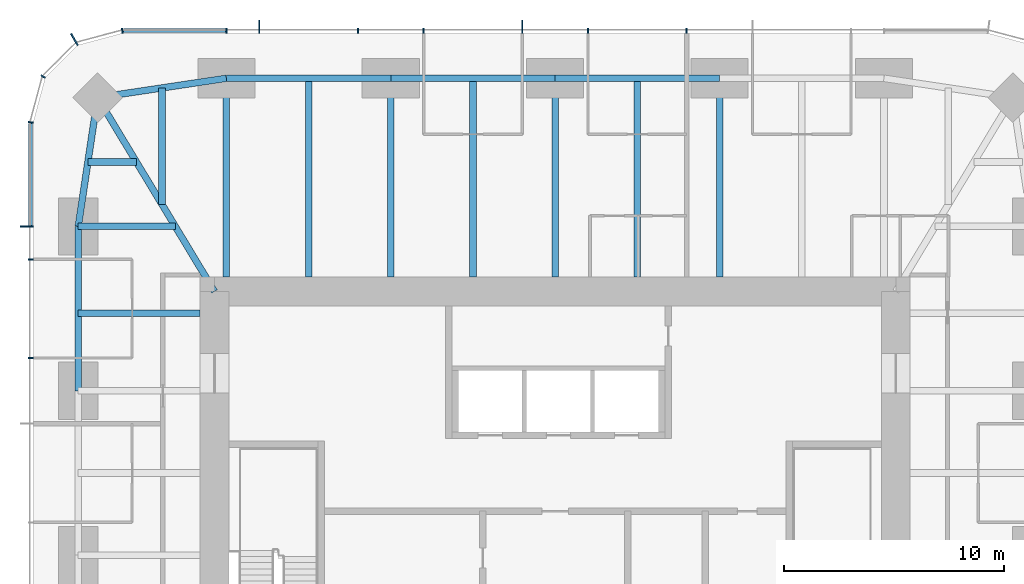
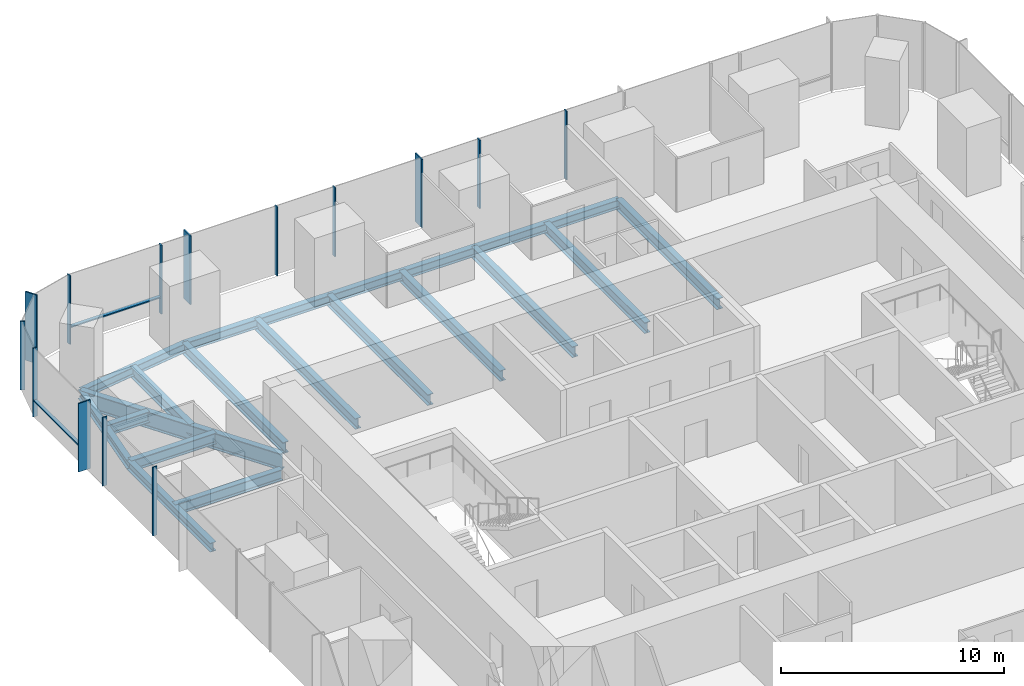
# One storey, part 5 of 12: 18 beams, 16 members, 3 elements without a shape of their own.
"""IFC4 building model written with IfcOpenShell, lengths in metres."""

from ifc_helpers import new_model, si_unit, direction, frame, origin, origin_2d, place, context, subcontext, project, spatial, rectangle, i_section, extrude, material, material_profile, profile_set, type_object, element, aggregate, save


model = new_model("IFC4")

# Units and contexts
model_context = context("Model", 3, precision=1e-05, world=origin(), true_north=direction((0.0, 1.0)))
body_context = subcontext(model_context, "Body", "Model", "MODEL_VIEW")
ifc_project = project(units=[si_unit("LENGTHUNIT", "METRE"), si_unit("AREAUNIT", "SQUARE_METRE"), si_unit("VOLUMEUNIT", "CUBIC_METRE"), si_unit("PLANEANGLEUNIT", "RADIAN"), si_unit("MASSUNIT", "GRAM", prefix="KILO")], contexts=[model_context])

# Site, building, storey
site_placement = place(None, origin())
site = spatial("IfcSite", under=ifc_project, at=site_placement, CompositionType="ELEMENT")
building_placement = place(site_placement, origin())
building = spatial("IfcBuilding", under=site, at=building_placement, Name="Khuree Lantern Residences", CompositionType="ELEMENT")
storey_placement = place(building_placement, frame((0.0, 0.0, 293.25)))
storey = spatial("IfcBuildingStorey", under=building, at=storey_placement, Name="L73", CompositionType="ELEMENT", Elevation=293.25)

# Beams
ifc_material_1 = material(Name="Steel S355", Category="steel")
ifc_material_profile_1 = material_profile(ifc_material_1, i_section(OverallWidth=0.300048828125, OverallDepth=0.590087890625, WebThickness=0.012939453125, FlangeThickness=0.02490234375, FilletRadius=0.027099609375, at=origin_2d()), Name="HE 600 A")
ifc_profile_set_1 = profile_set([ifc_material_profile_1], Name="Steel S355")
beam_type_1 = type_object("IfcBeamType", Name="B-41A SECONDARY BEAM HE 600 A", PredefinedType="BEAM", material=ifc_profile_set_1)
for number, where, z_axis, x_axis, name in (
    (1, (-11.219970703125, 21.699951171875, -0.544921875), (0.0, -1.0, 0.0), (1.0, 0.0, 0.0), "Secondary beam N1"),
    (2, (-3.739990234375, 21.699951171875, -0.544921875), (0.0, -1.0, 0.0), (1.0, 0.0, 0.0), "Secondary beam N2"),
    (3, (3.739990234375, 21.699951171875, -0.544921875), (0.0, -1.0, 0.0), (1.0, 0.0, 0.0), "Secondary beam N3"),
):
    element("IfcBeam", number, at=place(storey_placement, frame(where, z_axis=z_axis, x_axis=x_axis)), inside=storey, type_object=beam_type_1, Name=name, PredefinedType="BEAM", context=body_context, shape_type="SweptSolid", body=[
        extrude(i_section(OverallWidth=0.300048828125, OverallDepth=0.590087890625, WebThickness=0.012939453125, FlangeThickness=0.02490234375, FilletRadius=0.027099609375, at=origin_2d()), origin(), (0.0, 0.0, 1.0), 9.050048828125),
    ])
beam_1_placement = place(storey_placement, frame((-21.699951171875, 11.0, -0.544921875), z_axis=(1.0, 0.0, 0.0), x_axis=(0.0, 1.0, 0.0)))
element("IfcBeam", 4, at=beam_1_placement, inside=storey, type_object=beam_type_1, Name="Secondary beam W5", PredefinedType="BEAM", context=body_context, shape_type="SweptSolid", body=[
    extrude(i_section(OverallWidth=0.300048828125, OverallDepth=0.590087890625, WebThickness=0.012939453125, FlangeThickness=0.02490234375, FilletRadius=0.027099609375, at=origin_2d()), origin(), (0.0, 0.0, 1.0), 5.550048828125),
])
beam_2_placement = place(storey_placement, frame((-21.2607421875, 17.890625, -0.544921875), z_axis=(1.0, 0.0, 0.0), x_axis=(0.0, 1.0, 0.0)))
element("IfcBeam", 5, at=beam_2_placement, inside=storey, type_object=beam_type_1, Name="Secondary beam W6", PredefinedType="BEAM", context=body_context, shape_type="SweptSolid", body=[
    extrude(i_section(OverallWidth=0.300048828125, OverallDepth=0.590087890625, WebThickness=0.012939453125, FlangeThickness=0.02490234375, FilletRadius=0.027099609375, at=origin_2d()), origin(), (0.0, 0.0, 1.0), 2.207275390625),
])
beam_3_placement = place(storey_placement, frame((-17.890625, 21.2607421875, -0.544921875), z_axis=(0.0, -1.0, 0.0), x_axis=(1.0, 0.0, 0.0)))
element("IfcBeam", 6, at=beam_3_placement, inside=storey, type_object=beam_type_1, Name="Secondary beam N6", PredefinedType="BEAM", context=body_context, shape_type="SweptSolid", body=[
    extrude(i_section(OverallWidth=0.300048828125, OverallDepth=0.590087890625, WebThickness=0.012939453125, FlangeThickness=0.02490234375, FilletRadius=0.027099609375, at=origin_2d()), origin(), (0.0, 0.0, 1.0), 5.297607421875),
])
ifc_material_profile_2 = material_profile(ifc_material_1, i_section(OverallWidth=0.300048828125, OverallDepth=0.489990234375, WebThickness=0.011962890625, FlangeThickness=0.02294921875, FilletRadius=0.027099609375, at=origin_2d()), Name="HE 500 A")
ifc_profile_set_2 = profile_set([ifc_material_profile_2], Name="Steel S355")
beam_type_2 = type_object("IfcBeamType", Name="E-41 SPANDREL BEAM HE 500 A", PredefinedType="SPANDREL", material=ifc_profile_set_2)
for number, where, z_axis, x_axis, name in (
    (7, (-14.9599609375, 21.699951171875, -0.4951171875), (1.0, 0.0, 0.0), (0.0, 1.0, 0.0), "Spandrel beam N1"),
    (8, (-7.47998046875, 21.699951171875, -0.4951171875), (1.0, 0.0, 0.0), (0.0, 1.0, 0.0), "Spandrel beam N2"),
    (9, (0.0, 21.699951171875, -0.4951171875), (1.0, 0.0, 0.0), (0.0, 1.0, 0.0), "Spandrel beam N3"),
    (10, (-21.699951171875, 7.47998046875, -0.4951171875), (0.0, 1.0, 0.0), (-1.0, 0.0, 0.0), "Spandrel beam W5"),
):
    element("IfcBeam", number, at=place(storey_placement, frame(where, z_axis=z_axis, x_axis=x_axis)), inside=storey, type_object=beam_type_2, Name=name, PredefinedType="SPANDREL", context=body_context, shape_type="SweptSolid", body=[
        extrude(i_section(OverallWidth=0.300048828125, OverallDepth=0.489990234375, WebThickness=0.011962890625, FlangeThickness=0.02294921875, FilletRadius=0.027099609375, at=origin_2d()), origin(), (0.0, 0.0, 1.0), 7.47998046875),
    ])
for number, where, z_axis, x_axis, name in (
    (11, (-21.699951171875, 14.9599609375, -0.4951171875), (0.148251822985, 0.988949643299, 0.0), (-0.988949643299, 0.148251822985, 0.0), "Spandrel beam W6"),
    (12, (-20.8212890625, 20.8212890625, -0.4951171875), (0.988949643299, 0.148251822985, 0.0), (-0.148251822985, 0.988949643299, 0.0), "Spandrel beam N6"),
):
    element("IfcBeam", number, at=place(storey_placement, frame(where, z_axis=z_axis, x_axis=x_axis)), inside=storey, type_object=beam_type_2, Name=name, PredefinedType="SPANDREL", context=body_context, shape_type="SweptSolid", body=[
        extrude(i_section(OverallWidth=0.300048828125, OverallDepth=0.489990234375, WebThickness=0.011962890625, FlangeThickness=0.02294921875, FilletRadius=0.027099609375, at=origin_2d()), origin(), (0.0, 0.0, 1.0), 5.9267578125),
    ])

# Curtain wall, members
ifc_material_2 = material(Name="Bronze anodised aluminium", Category="aluminium")
curtain_wall_type_1 = type_object("IfcCurtainWallType", Name="CW-T1 TOWER FACE CURTAIN WALL", PredefinedType="USERDEFINED", material=ifc_material_2)
curtain_wall_1_placement = place(storey_placement, origin())
curtain_wall_1 = element("IfcCurtainWall", 13, at=curtain_wall_1_placement, inside=storey, type_object=curtain_wall_type_1, Name="L73 NORTH FACE CURTAIN WALL", ObjectType="Stick-built curtain wall", PredefinedType="USERDEFINED")
ifc_material_profile_3 = material_profile(ifc_material_2, rectangle(XDim=0.06494140625, YDim=0.60009765625, at=origin_2d()), Name="F1 65X600")
ifc_profile_set_3 = profile_set([ifc_material_profile_3], Name="Bronze anodised aluminium")
member_type_1 = type_object("IfcMemberType", Name="F1 BRONZE FIN MULLION TOWER 65X600", PredefinedType="MULLION", material=ifc_profile_set_3)
member_1_placement = place(storey_placement, frame((-1.49609375, 24.050048828125, 0.0), z_axis=(0.0, 0.0, 1.0), x_axis=(-1.0, 0.0, 0.0)))
member_1 = element("IfcMember", 14, at=member_1_placement, type_object=member_type_1, Name="L73 NORTH FACE FIN MULLION 24", PredefinedType="MULLION", context=body_context, shape_type="SweptSolid", body=[
    extrude(rectangle(XDim=0.06494140625, YDim=0.60009765625, at=origin_2d()), origin(), (0.0, 0.0, 1.0), 3.75),
])
member_2_placement = place(storey_placement, frame((-13.464111328125, 24.050048828125, 0.0), z_axis=(0.0, 0.0, 1.0), x_axis=(-1.0, 0.0, 0.0)))
member_2 = element("IfcMember", 15, at=member_2_placement, type_object=member_type_1, Name="L73 NORTH FACE FIN MULLION 27", PredefinedType="MULLION", context=body_context, shape_type="SweptSolid", body=[
    extrude(rectangle(XDim=0.06494140625, YDim=0.60009765625, at=origin_2d()), origin(), (0.0, 0.0, 1.0), 3.75),
])

# Curtain wall, member
curtain_wall_type_2 = type_object("IfcCurtainWallType", Name="CW-T2 TOWER CORNER CURTAIN WALL", PredefinedType="USERDEFINED", material=ifc_material_2)
curtain_wall_2_placement = place(storey_placement, origin())
curtain_wall_2 = element("IfcCurtainWall", 16, at=curtain_wall_2_placement, inside=storey, type_object=curtain_wall_type_2, Name="L73 NORTH-WEST CORNER CURTAIN WALL", ObjectType="Faceted corner curtain wall", PredefinedType="USERDEFINED")
member_3_placement = place(storey_placement, frame((-21.875, 23.46728515625, 0.0), z_axis=(0.0, 0.0, 1.0), x_axis=(-0.866025437565, -0.49999994149, 0.0)))
member_3 = element("IfcMember", 17, at=member_3_placement, type_object=member_type_1, Name="L73 NORTH-WEST CORNER FIN MULLION 30", PredefinedType="MULLION", context=body_context, shape_type="SweptSolid", body=[
    extrude(rectangle(XDim=0.06494140625, YDim=0.60009765625, at=origin_2d()), origin(), (0.0, 0.0, 1.0), 3.75),
])

curtain_wall_3_placement = place(storey_placement, origin())
curtain_wall_3 = element("IfcCurtainWall", 18, at=curtain_wall_3_placement, inside=storey, type_object=curtain_wall_type_1, Name="L73 WEST FACE CURTAIN WALL", ObjectType="Stick-built curtain wall", PredefinedType="USERDEFINED")
member_4_placement = place(storey_placement, frame((-24.050048828125, 14.9599609375, 0.0), z_axis=(0.0, 0.0, 1.0), x_axis=(0.0, -1.0, 0.0)))
member_4 = element("IfcMember", 19, at=member_4_placement, type_object=member_type_1, Name="L73 WEST FACE FIN MULLION 33", PredefinedType="MULLION", context=body_context, shape_type="SweptSolid", body=[
    extrude(rectangle(XDim=0.06494140625, YDim=0.60009765625, at=origin_2d()), origin(), (0.0, 0.0, 1.0), 3.75),
])

# Beams
ifc_material_profile_4 = material_profile(ifc_material_1, i_section(OverallWidth=0.300048828125, OverallDepth=0.60009765625, WebThickness=0.015380859375, FlangeThickness=0.030029296875, FilletRadius=0.027099609375, at=origin_2d()), Name="HE 600 B")
ifc_profile_set_4 = profile_set([ifc_material_profile_4], Name="Steel S355")
beam_type_3 = type_object("IfcBeamType", Name="G-41 GIRDER HE 600 B", PredefinedType="BEAM", material=ifc_profile_set_4)
for number, where, z_axis, x_axis, name in (
    (20, (-14.9599609375, 21.699951171875, -0.550048828125), (0.0, -1.0, 0.0), (1.0, 0.0, 0.0), "Girder N1"),
    (21, (-7.47998046875, 21.699951171875, -0.550048828125), (0.0, -1.0, 0.0), (1.0, 0.0, 0.0), "Girder N2"),
    (22, (0.0, 21.699951171875, -0.550048828125), (0.0, -1.0, 0.0), (1.0, 0.0, 0.0), "Girder N3"),
    (23, (7.47998046875, 21.699951171875, -0.550048828125), (0.0, -1.0, 0.0), (1.0, 0.0, 0.0), "Girder N4"),
):
    element("IfcBeam", number, at=place(storey_placement, frame(where, z_axis=z_axis, x_axis=x_axis)), inside=storey, type_object=beam_type_3, Name=name, PredefinedType="BEAM", context=body_context, shape_type="SweptSolid", body=[
        extrude(i_section(OverallWidth=0.300048828125, OverallDepth=0.60009765625, WebThickness=0.015380859375, FlangeThickness=0.030029296875, FilletRadius=0.027099609375, at=origin_2d()), origin(), (0.0, 0.0, 1.0), 9.050048828125),
    ])
beam_4_placement = place(storey_placement, frame((-21.699951171875, 14.9599609375, -0.550048828125), z_axis=(1.0, 0.0, 0.0), x_axis=(0.0, 1.0, 0.0)))
element("IfcBeam", 24, at=beam_4_placement, inside=storey, type_object=beam_type_3, Name="Girder W5", PredefinedType="BEAM", context=body_context, shape_type="SweptSolid", body=[
    extrude(i_section(OverallWidth=0.300048828125, OverallDepth=0.60009765625, WebThickness=0.015380859375, FlangeThickness=0.030029296875, FilletRadius=0.027099609375, at=origin_2d()), origin(), (0.0, 0.0, 1.0), 4.414306640625),
])
ifc_material_profile_5 = material_profile(ifc_material_1, i_section(OverallWidth=0.300048828125, OverallDepth=0.89990234375, WebThickness=0.0185546875, FlangeThickness=0.034912109375, FilletRadius=0.030029296875, at=origin_2d()), Name="HE 900 B")
ifc_profile_set_5 = profile_set([ifc_material_profile_5], Name="Steel S355")
beam_type_4 = type_object("IfcBeamType", Name="GD-41 CORNER GIRDER HE 900 B", PredefinedType="BEAM", material=ifc_profile_set_5)
beam_5_placement = place(storey_placement, frame((-20.8212890625, 20.8212890625, -0.699951171875), z_axis=(0.516529577604, -0.856269347495, 0.0), x_axis=(0.856269347495, 0.516529577604, 0.0)))
element("IfcBeam", 25, at=beam_5_placement, inside=storey, type_object=beam_type_4, Name="Corner girder NW", PredefinedType="BEAM", context=body_context, shape_type="SweptSolid", body=[
    extrude(i_section(OverallWidth=0.300048828125, OverallDepth=0.89990234375, WebThickness=0.0185546875, FlangeThickness=0.034912109375, FilletRadius=0.030029296875, at=origin_2d()), origin(), (0.0, 0.0, 1.0), 10.302001953125),
])

# Member
ifc_material_profile_6 = material_profile(ifc_material_2, rectangle(XDim=0.06494140625, YDim=0.219970703125, at=origin_2d()), Name="M1 65X220")
ifc_profile_set_6 = profile_set([ifc_material_profile_6], Name="Bronze anodised aluminium")
member_type_2 = type_object("IfcMemberType", Name="M1 BRONZE MULLION TOWER 65X220", PredefinedType="MULLION", material=ifc_profile_set_6)
member_5_placement = place(storey_placement, frame((5.98388671875, 23.860107421875, 0.0), z_axis=(0.0, 0.0, 1.0), x_axis=(-1.0, 0.0, 0.0)))
member_5 = element("IfcMember", 26, at=member_5_placement, type_object=member_type_2, Name="L73 NORTH FACE MULLION 22", PredefinedType="MULLION", context=body_context, shape_type="SweptSolid", body=[
    extrude(rectangle(XDim=0.06494140625, YDim=0.219970703125, at=origin_2d()), origin(), (0.0, 0.0, 1.0), 3.75),
])

member_6_placement = place(storey_placement, frame((1.49609375, 23.860107421875, 0.0), z_axis=(0.0, 0.0, 1.0), x_axis=(-1.0, 0.0, 0.0)))
member_6 = element("IfcMember", 27, at=member_6_placement, type_object=member_type_2, Name="L73 NORTH FACE MULLION 23", PredefinedType="MULLION", context=body_context, shape_type="SweptSolid", body=[
    extrude(rectangle(XDim=0.06494140625, YDim=0.219970703125, at=origin_2d()), origin(), (0.0, 0.0, 1.0), 3.75),
])

member_7_placement = place(storey_placement, frame((-5.98388671875, 23.860107421875, 0.0), z_axis=(0.0, 0.0, 1.0), x_axis=(-1.0, 0.0, 0.0)))
member_7 = element("IfcMember", 28, at=member_7_placement, type_object=member_type_2, Name="L73 NORTH FACE MULLION 25", PredefinedType="MULLION", context=body_context, shape_type="SweptSolid", body=[
    extrude(rectangle(XDim=0.06494140625, YDim=0.219970703125, at=origin_2d()), origin(), (0.0, 0.0, 1.0), 3.75),
])

member_8_placement = place(storey_placement, frame((-8.97607421875, 23.860107421875, 0.0), z_axis=(0.0, 0.0, 1.0), x_axis=(-1.0, 0.0, 0.0)))
member_8 = element("IfcMember", 29, at=member_8_placement, type_object=member_type_2, Name="L73 NORTH FACE MULLION 26", PredefinedType="MULLION", context=body_context, shape_type="SweptSolid", body=[
    extrude(rectangle(XDim=0.06494140625, YDim=0.219970703125, at=origin_2d()), origin(), (0.0, 0.0, 1.0), 3.75),
])

member_9_placement = place(storey_placement, frame((-14.9599609375, 23.860107421875, 0.0), z_axis=(0.0, 0.0, 1.0), x_axis=(-1.0, 0.0, 0.0)))
member_9 = element("IfcMember", 30, at=member_9_placement, type_object=member_type_2, Name="L73 NORTH FACE MULLION 28", PredefinedType="MULLION", context=body_context, shape_type="SweptSolid", body=[
    extrude(rectangle(XDim=0.06494140625, YDim=0.219970703125, at=origin_2d()), origin(), (0.0, 0.0, 1.0), 3.75),
])

member_10_placement = place(storey_placement, frame((-19.695068359375, 23.86181640625, 0.0), z_axis=(0.0, 0.0, 1.0), x_axis=(-0.991444870192, -0.130526125236, 0.0)))
member_10 = element("IfcMember", 31, at=member_10_placement, type_object=member_type_2, Name="L73 NORTH-WEST CORNER MULLION 29", PredefinedType="MULLION", context=body_context, shape_type="SweptSolid", body=[
    extrude(rectangle(XDim=0.06494140625, YDim=0.219970703125, at=origin_2d()), origin(), (0.0, 0.0, 1.0), 3.75),
])

member_11_placement = place(storey_placement, frame((-23.302734375, 21.780029296875, 0.0), z_axis=(0.0, 0.0, 1.0), x_axis=(-0.49999994149, -0.866025437565, 0.0)))
member_11 = element("IfcMember", 32, at=member_11_placement, type_object=member_type_2, Name="L73 NORTH-WEST CORNER MULLION 31", PredefinedType="MULLION", context=body_context, shape_type="SweptSolid", body=[
    extrude(rectangle(XDim=0.06494140625, YDim=0.219970703125, at=origin_2d()), origin(), (0.0, 0.0, 1.0), 3.75),
])

aggregate(curtain_wall_2, [member_10, member_3, member_11])

member_12_placement = place(storey_placement, frame((-23.86181640625, 19.695068359375, 0.0), z_axis=(0.0, 0.0, 1.0), x_axis=(-0.130526125236, -0.991444870192, 0.0)))
member_12 = element("IfcMember", 33, at=member_12_placement, type_object=member_type_2, Name="L73 WEST FACE MULLION 32", PredefinedType="MULLION", context=body_context, shape_type="SweptSolid", body=[
    extrude(rectangle(XDim=0.06494140625, YDim=0.219970703125, at=origin_2d()), origin(), (0.0, 0.0, 1.0), 3.75),
])

member_13_placement = place(storey_placement, frame((-23.860107421875, 13.464111328125, 0.0), z_axis=(0.0, 0.0, 1.0), x_axis=(0.0, -1.0, 0.0)))
member_13 = element("IfcMember", 34, at=member_13_placement, type_object=member_type_2, Name="L73 WEST FACE MULLION 34", PredefinedType="MULLION", context=body_context, shape_type="SweptSolid", body=[
    extrude(rectangle(XDim=0.06494140625, YDim=0.219970703125, at=origin_2d()), origin(), (0.0, 0.0, 1.0), 3.75),
])

member_14_placement = place(storey_placement, frame((-23.860107421875, 8.97607421875, 0.0), z_axis=(0.0, 0.0, 1.0), x_axis=(0.0, -1.0, 0.0)))
member_14 = element("IfcMember", 35, at=member_14_placement, type_object=member_type_2, Name="L73 WEST FACE MULLION 35", PredefinedType="MULLION", context=body_context, shape_type="SweptSolid", body=[
    extrude(rectangle(XDim=0.06494140625, YDim=0.219970703125, at=origin_2d()), origin(), (0.0, 0.0, 1.0), 3.75),
])

ifc_material_profile_7 = material_profile(ifc_material_2, rectangle(XDim=0.179931640625, YDim=0.06494140625, at=origin_2d()), Name="T1 180X65")
ifc_profile_set_7 = profile_set([ifc_material_profile_7], Name="Bronze anodised aluminium")
member_type_3 = type_object("IfcMemberType", Name="TRANSOM T1 TOWER 180X65", PredefinedType="USERDEFINED", material=ifc_profile_set_7)
member_15_placement = place(storey_placement, frame((-14.992431640625, 23.8701171875, 0.89990234375), z_axis=(-1.0, 0.0, 0.0), x_axis=(0.0, -1.0, 0.0)))
member_15 = element("IfcMember", 36, at=member_15_placement, type_object=member_type_3, Name="L73 NORTH FACE TRANSOM 28.1", ObjectType="Transom", PredefinedType="USERDEFINED", context=body_context, shape_type="SweptSolid", body=[
    extrude(rectangle(XDim=0.179931640625, YDim=0.06494140625, at=origin_2d()), origin(), (0.0, 0.0, 1.0), 4.658935546875),
])

aggregate(curtain_wall_1, [member_5, member_6, member_1, member_7, member_8, member_2, member_9, member_15])

member_16_placement = place(storey_placement, frame((-23.8701171875, 19.6513671875, 0.89990234375), z_axis=(0.0, -1.0, 0.0), x_axis=(1.0, 0.0, 0.0)))
member_16 = element("IfcMember", 37, at=member_16_placement, type_object=member_type_3, Name="L73 WEST FACE TRANSOM 32.1", ObjectType="Transom", PredefinedType="USERDEFINED", context=body_context, shape_type="SweptSolid", body=[
    extrude(rectangle(XDim=0.179931640625, YDim=0.06494140625, at=origin_2d()), origin(), (0.0, 0.0, 1.0), 4.658935546875),
])

aggregate(curtain_wall_3, [member_12, member_4, member_13, member_14, member_16])

save(model, "model.ifc")
